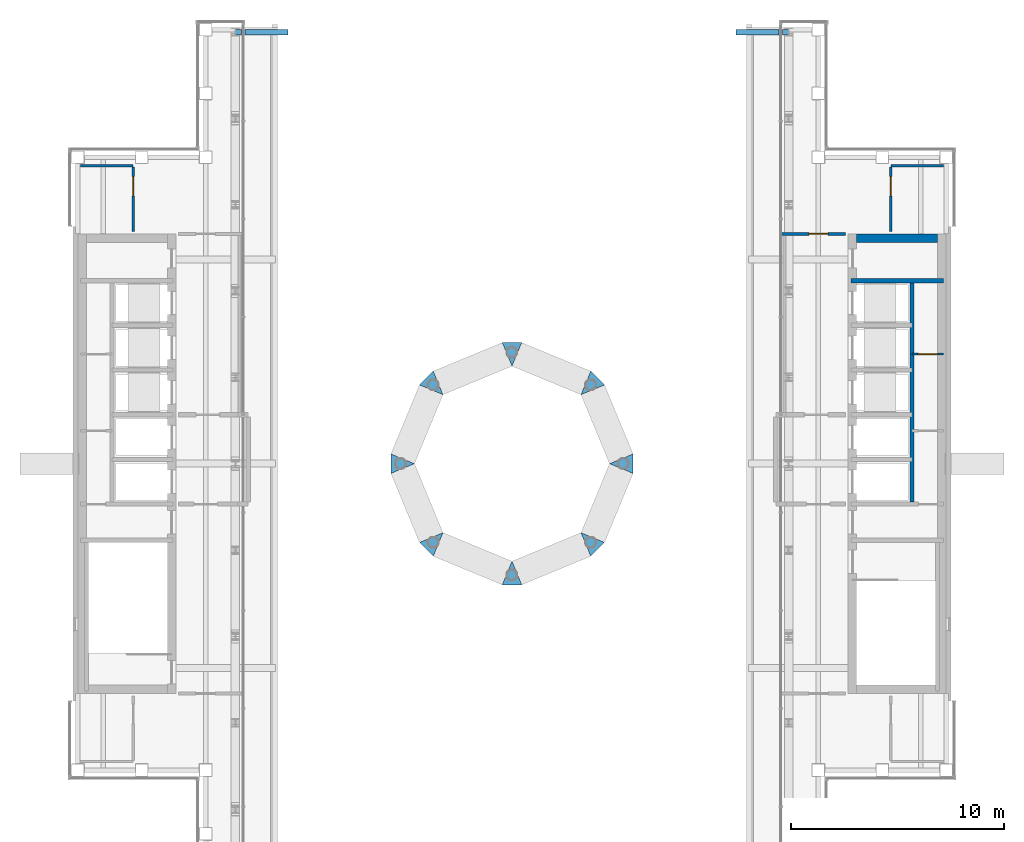
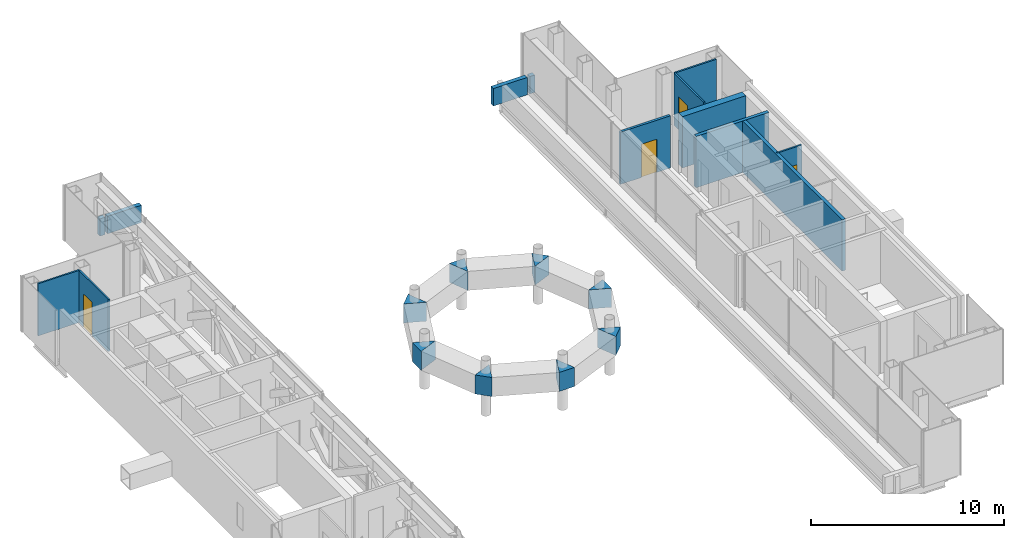
# One storey, part 14 of 16: 13 walls, 8 discrete accessories, 4 doors, 4 openings.
"""IFC4 building model written with IfcOpenShell, lengths in metres."""

import ifcopenshell
import ifcopenshell.guid

model = None  # the IFC model being written
_history = None  # IfcOwnerHistory: only IFC2X3 demands one
_inside = {}  # id of a spatial element -> (the spatial element, [elements in it])
_under = {}  # id of a project, library or spatial element -> (it, [spatial elements below it])
_declared = {}  # id of a project -> (the project, [libraries it declares])
_typed = {}  # id of a type object -> (the type object, [elements of that type])
_made_of = {}  # id of a material, layer set ... -> (it, [elements and type objects made of it])


def new_model(schema):
    """Start an empty IFC model of exactly this schema.

    Asked for "IFC4X3", IfcOpenShell would pick the latest addendum, in which some entities
    have other attributes; the version numbers below select the first issue.
    IFC2X3 requires an IfcOwnerHistory on every rooted entity: one is made here for all.
    """
    global model, _history
    if schema == "IFC4X3":
        model = ifcopenshell.file(schema_version=(4, 3, 0, 0))
    else:
        model = ifcopenshell.file(schema=schema)
    _inside.clear()
    _under.clear()
    _declared.clear()
    _typed.clear()
    _made_of.clear()
    _history = None
    if model.schema == "IFC2X3":
        org = make("IfcOrganization", Name="unknown")
        user = make(
            "IfcPersonAndOrganization",
            ThePerson=make("IfcPerson", FamilyName="unknown"),
            TheOrganization=org,
        )
        app = make(
            "IfcApplication",
            ApplicationDeveloper=org,
            Version="unknown",
            ApplicationFullName="unknown",
            ApplicationIdentifier="unknown",
        )
        _history = make(
            "IfcOwnerHistory",
            OwningUser=user,
            OwningApplication=app,
            ChangeAction="ADDED",
            CreationDate=0,
        )
    return model


def make(cls, **values):
    """One entity of the class cls with the attributes given. An attribute that is None is left unset."""
    return model.create_entity(
        cls, **{name: value for name, value in values.items() if value is not None}
    )


def rooted(cls, **values):
    """An entity with a GlobalId (a new one), such as an element, a storey or a relation."""
    return make(cls, GlobalId=ifcopenshell.guid.new(), OwnerHistory=_history, **values)


def si_unit(unit_type, name, prefix=None):
    """IfcSIUnit, for example si_unit("LENGTHUNIT", "METRE", prefix="MILLI")."""
    return make("IfcSIUnit", UnitType=unit_type, Prefix=prefix, Name=name)


def assignment(units):
    """IfcUnitAssignment: the units of a project."""
    return None if units is None else make("IfcUnitAssignment", Units=units)


def point(xyz):
    """IfcCartesianPoint."""
    return None if xyz is None else make("IfcCartesianPoint", Coordinates=xyz)


def direction(xyz):
    """IfcDirection."""
    return None if xyz is None else make("IfcDirection", DirectionRatios=xyz)


def frame(location, z_axis=None, x_axis=None):
    """IfcAxis2Placement3D, a coordinate frame: its origin and axes. An axis left out is left unset."""
    return make(
        "IfcAxis2Placement3D",
        Location=point(location),
        Axis=direction(z_axis),
        RefDirection=direction(x_axis),
    )


def frame_2d(location, x_axis=None):
    """IfcAxis2Placement2D, a coordinate frame in the plane: its origin and x axis."""
    return make(
        "IfcAxis2Placement2D", Location=point(location), RefDirection=direction(x_axis)
    )


def origin():
    """The frame at (0, 0, 0) with its axes left unset."""
    return frame((0.0, 0.0, 0.0))


def place(relative_to, where):
    """IfcLocalPlacement: puts the frame where relative to a parent placement (None: the world)."""
    return make(
        "IfcLocalPlacement", PlacementRelTo=relative_to, RelativePlacement=where
    )


def context(
    kind, dimensions, precision=None, world=None, true_north=None, identifier=None
):
    """IfcGeometricRepresentationContext, for example the 3D "Model" context."""
    return make(
        "IfcGeometricRepresentationContext",
        ContextIdentifier=identifier,
        ContextType=kind,
        CoordinateSpaceDimension=dimensions,
        Precision=precision,
        WorldCoordinateSystem=world,
        TrueNorth=true_north,
    )


def subcontext(parent, identifier, kind, view, scale=None):
    """IfcGeometricRepresentationSubContext, for example "Body" below "Model"."""
    return make(
        "IfcGeometricRepresentationSubContext",
        ContextIdentifier=identifier,
        ContextType=kind,
        ParentContext=parent,
        TargetScale=scale,
        TargetView=view,
    )


def project(units=None, contexts=None):
    """IfcProject with its units and contexts."""
    return rooted(
        "IfcProject",
        Name="project",
        RepresentationContexts=contexts,
        UnitsInContext=assignment(units),
    )


def spatial(cls, under=None, at=None, **own):
    """A site, building, storey or space (cls), placed at a placement, below another one or the project."""
    s = rooted(cls, ObjectPlacement=at, **own)
    if under is not None:
        _under.setdefault(under.id(), (under, []))[1].append(s)
    return s


def polyline(points):
    """IfcPolyline through the points."""
    return make("IfcPolyline", Points=[point(p) for p in points])


def profile(cls, at=None, kind="AREA", **sizes):
    """A parametric profile (cls). Its sizes go by their IFC names, for example OverallWidth=200.0."""
    return make(cls, ProfileType=kind, Position=at, **sizes)


def rectangle(**sizes):
    """IfcRectangleProfileDef."""
    return profile("IfcRectangleProfileDef", **sizes)


def outline(outer, holes=None, kind="AREA"):
    """IfcArbitraryClosedProfileDef: a profile drawn as a closed curve; with holes, ...WithVoids."""
    if holes is None:
        return make("IfcArbitraryClosedProfileDef", ProfileType=kind, OuterCurve=outer)
    return make(
        "IfcArbitraryProfileDefWithVoids",
        ProfileType=kind,
        OuterCurve=outer,
        InnerCurves=holes,
    )


def extrude(swept, where, along, depth):
    """IfcExtrudedAreaSolid: the profile swept, set in the frame where, extruded along a direction by depth."""
    return make(
        "IfcExtrudedAreaSolid",
        SweptArea=swept,
        Position=where,
        ExtrudedDirection=direction(along),
        Depth=depth,
    )


def shape(context_of_items, identifier, shape_type, items):
    """IfcShapeRepresentation: the items that make up one representation, for example the "Body"."""
    return make(
        "IfcShapeRepresentation",
        ContextOfItems=context_of_items,
        RepresentationIdentifier=identifier,
        RepresentationType=shape_type,
        Items=items,
    )


def material(Name=None, Category=None):
    """IfcMaterial."""
    return make("IfcMaterial", Name=Name, Category=Category)


def layer(
    of_material, thickness, ventilated=None, Name=None, Category=None, Priority=None
):
    """IfcMaterialLayer: one layer of a wall or slab, of a material (None: an air gap)."""
    return make(
        "IfcMaterialLayer",
        Material=of_material,
        LayerThickness=thickness,
        IsVentilated=ventilated,
        Name=Name,
        Category=Category,
        Priority=Priority,
    )


def layer_set(layers, Name=None):
    """IfcMaterialLayerSet."""
    return make("IfcMaterialLayerSet", MaterialLayers=layers, LayerSetName=Name)


def made_of(thing, what):
    """Note that an element or type object is made of a material, layer set ...; save() writes the relation."""
    if what is not None:
        _made_of.setdefault(what.id(), (what, []))[1].append(thing)
    return thing


def type_object(cls, material=None, **own):
    """A type object (cls), such as IfcWallType, which elements share."""
    return made_of(rooted(cls, **own), material)


def element(
    cls,
    number,
    at=None,
    inside=None,
    cuts=None,
    type_object=None,
    material=None,
    context=None,
    identifier="Body",
    shape_type=None,
    held_by="IfcProductDefinitionShape",
    body=None,
    shapes=None,
    **own,
):
    """One element of the class cls, such as IfcWall. Its Tag is "e" and its number.

    at: its placement. inside: the storey or other place that contains it. cuts: it is an
    opening in that element (IfcRelVoidsElement). A single representation is given by context,
    identifier, shape_type and body (its items); several are given by shapes. held_by: the class
    of the entity that holds the representations. save() writes the other relations.
    """
    e = rooted(cls, Tag="e%d" % number, ObjectPlacement=at, **own)
    if body is not None:
        shapes = [shape(context, identifier, shape_type, body)]
    if shapes is not None:
        e.Representation = make(held_by, Representations=shapes)
    if inside is not None:
        _inside.setdefault(inside.id(), (inside, []))[1].append(e)
    if cuts is not None:
        rooted(
            "IfcRelVoidsElement", RelatingBuildingElement=cuts, RelatedOpeningElement=e
        )
    if type_object is not None:
        _typed.setdefault(type_object.id(), (type_object, []))[1].append(e)
    return made_of(e, material)


def fill(opening, filler):
    """IfcRelFillsElement: the door or window that sits in an opening."""
    return rooted(
        "IfcRelFillsElement",
        RelatingOpeningElement=opening,
        RelatedBuildingElement=filler,
    )


def aggregate(whole, parts):
    """IfcRelAggregates: a whole, such as a stair, and the parts it consists of."""
    return rooted("IfcRelAggregates", RelatingObject=whole, RelatedObjects=parts)


def save(model, path):
    """Write the relations noted so far, then the file.

    IfcRelAggregates (storeys below a building ...), IfcRelContainedInSpatialStructure (elements
    in a storey), IfcRelDefinesByType, IfcRelAssociatesMaterial and IfcRelDeclares: one each for
    every whole, place, type object, material and project.
    """
    for whole, parts in _under.values():
        aggregate(whole, parts)
    for where, things in _inside.values():
        rooted(
            "IfcRelContainedInSpatialStructure",
            RelatedElements=things,
            RelatingStructure=where,
        )
    for kind, things in _typed.values():
        rooted("IfcRelDefinesByType", RelatedObjects=things, RelatingType=kind)
    for what, things in _made_of.values():
        rooted("IfcRelAssociatesMaterial", RelatedObjects=things, RelatingMaterial=what)
    for by, libraries in _declared.values():
        rooted("IfcRelDeclares", RelatingContext=by, RelatedDefinitions=libraries)
    model.write(path)


model = new_model("IFC4")

# Units and contexts
model_context = context("Model", 3, precision=1e-05, world=origin(), true_north=direction((0.0, 1.0)))
body_context = subcontext(model_context, "Body", "Model", "MODEL_VIEW")
ifc_project = project(units=[si_unit("LENGTHUNIT", "METRE"), si_unit("AREAUNIT", "SQUARE_METRE"), si_unit("VOLUMEUNIT", "CUBIC_METRE"), si_unit("PLANEANGLEUNIT", "RADIAN"), si_unit("MASSUNIT", "GRAM", prefix="KILO")], contexts=[model_context])

# Site, building, storey
site_placement = place(None, origin())
site = spatial("IfcSite", under=ifc_project, at=site_placement, CompositionType="ELEMENT")
building_placement = place(site_placement, origin())
building = spatial("IfcBuilding", under=site, at=building_placement, Name="Cobrizo Arcos Hotel Tower", CompositionType="ELEMENT")
storey_placement = place(building_placement, frame((0.0, 0.0, 286.5)))
storey = spatial("IfcBuildingStorey", under=building, at=storey_placement, Name="L76", CompositionType="ELEMENT", Elevation=286.5)

# Wall, opening, door
ifc_material_1 = material(Name="Gypsum board partition")
ifc_layer_1 = layer(ifc_material_1, 0.14990234375)
ifc_layer_set_1 = layer_set([ifc_layer_1], Name="Corridor wall EI 60 150")
wall_type_1 = type_object("IfcWallType", Name="Corridor wall EI 60 150", PredefinedType="PARTITIONING", material=ifc_layer_set_1)
wall_1_placement = place(storey_placement, frame((12.669921875, 10.800048828125, 0.0), z_axis=(0.0, 0.0, 1.0), x_axis=(1.0, 0.0, 0.0)))
wall_1 = element("IfcWall", 1, at=wall_1_placement, inside=storey, type_object=wall_type_1, Name="Partition 032", PredefinedType="PARTITIONING", context=body_context, shape_type="SweptSolid", body=[
    extrude(rectangle(XDim=3.010009765625, YDim=0.14990234375, at=frame_2d((1.5048828125, 0.0))), origin(), (0.0, 0.0, 1.0), 3.300048828125),
])
opening_1_placement = place(wall_1_placement, frame((1.280029296875, 0.0, 0.0)))
opening_1 = element("IfcOpeningElement", 2, at=opening_1_placement, cuts=wall_1, Name="Opening RD-08", PredefinedType="OPENING", context=body_context, shape_type="SweptSolid", body=[
    extrude(rectangle(XDim=0.89990234375, YDim=2.10009765625, at=frame_2d((0.449951171875, 1.050048828125))), frame((0.0, 0.0869140625, 0.0), z_axis=(0.0, -1.0, 0.0), x_axis=(1.0, 0.0, 0.0)), (0.0, 0.0, 1.0), 0.173828125),
])
ifc_material_2 = material(Name="Timber door leaf", Category="wood")
door_type_1 = type_object("IfcDoorType", Name="Room door FD30 900x2100", OperationType="SINGLE_SWING_LEFT", PredefinedType="DOOR", material=ifc_material_2)
door_1_placement = place(opening_1_placement, origin())
door_1 = element("IfcDoor", 3, at=door_1_placement, inside=storey, type_object=door_type_1, Name="Door RD-08", OperationType="SINGLE_SWING_RIGHT", OverallHeight=2.10009765625, OverallWidth=0.89990234375, PredefinedType="DOOR", context=body_context, shape_type="SweptSolid", body=[
    extrude(rectangle(XDim=0.89990234375, YDim=2.10009765625, at=frame_2d((0.449951171875, 1.050048828125))), frame((0.0, 0.02490234375, 0.0), z_axis=(0.0, -1.0, 0.0), x_axis=(1.0, 0.0, 0.0)), (0.0, 0.0, 1.0), 0.050048828125),
])
fill(opening_1, door_1)

# Walls
ifc_material_3 = material(Name="Aluminium composite panel pale metal", Category="aluminium")
ifc_layer_2 = layer(ifc_material_3, 0.25)
ifc_layer_set_2 = layer_set([ifc_layer_2], Name="PW-1 parapet wall")
wall_type_2 = type_object("IfcWallType", Name="PW-1 parapet wall", PredefinedType="PARAPET", material=ifc_layer_set_2)
wall_2_placement = place(storey_placement, frame((13.0, 20.27490234375, 0.0), z_axis=(0.0, 0.0, 1.0), x_axis=(-1.0, 0.0, 0.0)))
element("IfcWall", 4, at=wall_2_placement, inside=storey, type_object=wall_type_2, Name="Parapet L75 N", PredefinedType="PARAPET", context=body_context, shape_type="SweptSolid", body=[
    extrude(rectangle(XDim=0.300048828125, YDim=0.25, at=frame_2d((0.14990234375, 0.0))), origin(), (0.0, 0.0, 1.0), 1.10009765625),
])
for number, where, z_axis, x_axis, name in (
    (5, (12.550048828125, 20.27490234375, 0.0), (0.0, 0.0, 1.0), (-1.0, 0.0, 0.0), "Parapet L75 N"),
    (6, (-10.52587890625, 20.27490234375, 0.0), (0.0, 0.0, 1.0), (-1.0, 0.0, 0.0), "Parapet L75 N"),
):
    element("IfcWall", number, at=place(storey_placement, frame(where, z_axis=z_axis, x_axis=x_axis)), inside=storey, type_object=wall_type_2, Name=name, PredefinedType="PARAPET", context=body_context, shape_type="SweptSolid", body=[
        extrude(rectangle(XDim=2.024169921875, YDim=0.25, at=frame_2d((1.01220703125, 0.0))), origin(), (0.0, 0.0, 1.0), 1.10009765625),
    ])
wall_3_placement = place(storey_placement, frame((-12.699951171875, 20.27490234375, 0.0), z_axis=(0.0, 0.0, 1.0), x_axis=(-1.0, 0.0, 0.0)))
element("IfcWall", 7, at=wall_3_placement, inside=storey, type_object=wall_type_2, Name="Parapet L75 N", PredefinedType="PARAPET", context=body_context, shape_type="SweptSolid", body=[
    extrude(rectangle(XDim=0.300048828125, YDim=0.25, at=frame_2d((0.14990234375, 0.0))), origin(), (0.0, 0.0, 1.0), 1.10009765625),
])

# Wall, opening, door
ifc_layer_3 = layer(ifc_material_1, 0.10009765625)
ifc_layer_set_3 = layer_set([ifc_layer_3], Name="Partition EI 30 100")
wall_type_3 = type_object("IfcWallType", Name="Partition EI 30 100", PredefinedType="PARTITIONING", material=ifc_layer_set_3)
wall_4_placement = place(storey_placement, frame((18.800048828125, 5.14990234375, 0.0), z_axis=(0.0, 0.0, 1.0), x_axis=(1.0, 0.0, 0.0)))
wall_4 = element("IfcWall", 8, at=wall_4_placement, inside=storey, type_object=wall_type_3, Name="Partition 026", PredefinedType="PARTITIONING", context=body_context, shape_type="SweptSolid", body=[
    extrude(rectangle(XDim=1.47998046875, YDim=0.10009765625, at=frame_2d((0.739990234375, 0.0))), origin(), (0.0, 0.0, 1.0), 3.25),
])
opening_2_placement = place(wall_4_placement, frame((0.300048828125, 0.0, 0.0)))
opening_2 = element("IfcOpeningElement", 9, at=opening_2_placement, cuts=wall_4, Name="Opening RD-06", PredefinedType="OPENING", context=body_context, shape_type="SweptSolid", body=[
    extrude(rectangle(XDim=0.89990234375, YDim=2.10009765625, at=frame_2d((0.449951171875, 1.050048828125))), frame((0.0, 0.06201171875, 0.0), z_axis=(0.0, -1.0, 0.0), x_axis=(1.0, 0.0, 0.0)), (0.0, 0.0, 1.0), 0.1240234375),
])
door_2_placement = place(opening_2_placement, origin())
door_2 = element("IfcDoor", 10, at=door_2_placement, inside=storey, type_object=door_type_1, Name="Door RD-06", OperationType="SINGLE_SWING_RIGHT", OverallHeight=2.10009765625, OverallWidth=0.89990234375, PredefinedType="DOOR", context=body_context, shape_type="SweptSolid", body=[
    extrude(rectangle(XDim=0.89990234375, YDim=2.10009765625, at=frame_2d((0.449951171875, 1.050048828125))), frame((0.0, 0.02490234375, 0.0), z_axis=(0.0, -1.0, 0.0), x_axis=(1.0, 0.0, 0.0)), (0.0, 0.0, 1.0), 0.050048828125),
])
fill(opening_2, door_2)

# Walls
for number, where, z_axis, x_axis, name in (
    (11, (-20.280029296875, 14.0, 0.0), (0.0, 0.0, 1.0), (1.0, 0.0, 0.0), "Partition 033"),
    (12, (17.800048828125, 14.0, 0.0), (0.0, 0.0, 1.0), (1.0, 0.0, 0.0), "Partition 034"),
):
    element("IfcWall", number, at=place(storey_placement, frame(where, z_axis=z_axis, x_axis=x_axis)), inside=storey, type_object=wall_type_3, Name=name, PredefinedType="PARTITIONING", context=body_context, shape_type="SweptSolid", body=[
        extrude(rectangle(XDim=2.47998046875, YDim=0.10009765625, at=frame_2d((1.239990234375, 0.0))), origin(), (0.0, 0.0, 1.0), 3.300048828125),
    ])

# Wall, opening, door
wall_5_placement = place(storey_placement, frame((-17.800048828125, 10.919921875, 0.0), z_axis=(0.0, 0.0, 1.0), x_axis=(0.0, 1.0, 0.0)))
wall_5 = element("IfcWall", 13, at=wall_5_placement, inside=storey, type_object=wall_type_3, Name="Partition 038", PredefinedType="PARTITIONING", context=body_context, shape_type="SweptSolid", body=[
    extrude(rectangle(XDim=3.030029296875, YDim=0.10009765625, at=frame_2d((1.51513671875, 0.0))), origin(), (0.0, 0.0, 1.0), 3.300048828125),
])
opening_3_placement = place(wall_5_placement, frame((1.669921875, 0.0, 0.0)))
opening_3 = element("IfcOpeningElement", 14, at=opening_3_placement, cuts=wall_5, Name="Opening ED-06", PredefinedType="OPENING", context=body_context, shape_type="SweptSolid", body=[
    extrude(rectangle(XDim=0.89990234375, YDim=2.10009765625, at=frame_2d((0.449951171875, 1.050048828125))), frame((0.0, 0.06201171875, 0.0), z_axis=(0.0, -1.0, 0.0), x_axis=(1.0, 0.0, 0.0)), (0.0, 0.0, 1.0), 0.1240234375),
])
door_type_2 = type_object("IfcDoorType", Name="En-suite door 900x2100", OperationType="SINGLE_SWING_LEFT", PredefinedType="DOOR", material=ifc_material_2)
door_3_placement = place(opening_3_placement, origin())
door_3 = element("IfcDoor", 15, at=door_3_placement, inside=storey, type_object=door_type_2, Name="Door ED-06", OperationType="SINGLE_SWING_LEFT", OverallHeight=2.10009765625, OverallWidth=0.89990234375, PredefinedType="DOOR", context=body_context, shape_type="SweptSolid", body=[
    extrude(rectangle(XDim=0.89990234375, YDim=2.10009765625, at=frame_2d((0.449951171875, 1.050048828125))), frame((0.0, 0.02490234375, 0.0), z_axis=(0.0, -1.0, 0.0), x_axis=(1.0, 0.0, 0.0)), (0.0, 0.0, 1.0), 0.050048828125),
])
fill(opening_3, door_3)

wall_6_placement = place(storey_placement, frame((17.800048828125, 10.919921875, 0.0), z_axis=(0.0, 0.0, 1.0), x_axis=(0.0, 1.0, 0.0)))
wall_6 = element("IfcWall", 16, at=wall_6_placement, inside=storey, type_object=wall_type_3, Name="Partition 044", PredefinedType="PARTITIONING", context=body_context, shape_type="SweptSolid", body=[
    extrude(rectangle(XDim=3.030029296875, YDim=0.10009765625, at=frame_2d((1.51513671875, 0.0))), origin(), (0.0, 0.0, 1.0), 3.300048828125),
])
opening_4_placement = place(wall_6_placement, frame((1.669921875, 0.0, 0.0)))
opening_4 = element("IfcOpeningElement", 17, at=opening_4_placement, cuts=wall_6, Name="Opening ED-04", PredefinedType="OPENING", context=body_context, shape_type="SweptSolid", body=[
    extrude(rectangle(XDim=0.89990234375, YDim=2.10009765625, at=frame_2d((0.449951171875, 1.050048828125))), frame((0.0, 0.06201171875, 0.0), z_axis=(0.0, -1.0, 0.0), x_axis=(1.0, 0.0, 0.0)), (0.0, 0.0, 1.0), 0.1240234375),
])
door_4_placement = place(opening_4_placement, origin())
door_4 = element("IfcDoor", 18, at=door_4_placement, inside=storey, type_object=door_type_2, Name="Door ED-04", OperationType="SINGLE_SWING_RIGHT", OverallHeight=2.10009765625, OverallWidth=0.89990234375, PredefinedType="DOOR", context=body_context, shape_type="SweptSolid", body=[
    extrude(rectangle(XDim=0.89990234375, YDim=2.10009765625, at=frame_2d((0.449951171875, 1.050048828125))), frame((0.0, 0.02490234375, 0.0), z_axis=(0.0, -1.0, 0.0), x_axis=(1.0, 0.0, 0.0)), (0.0, 0.0, 1.0), 0.050048828125),
])
fill(opening_4, door_4)

# Walls
ifc_material_4 = material(Name="Concrete f'c 40 MPa", Category="concrete")
ifc_layer_4 = layer(ifc_material_4, 0.39990234375)
ifc_layer_set_4 = layer_set([ifc_layer_4], Name="RC core wall 400 f'c 40")
wall_type_4 = type_object("IfcWallType", Name="RC core wall 400 f'c 40", PredefinedType="SHEAR", material=ifc_layer_set_4)
wall_7_placement = place(storey_placement, frame((16.199951171875, 10.60009765625, 0.0), z_axis=(0.0, 0.0, 1.0), x_axis=(1.0, 0.0, 0.0)))
element("IfcWall", 19, at=wall_7_placement, inside=storey, type_object=wall_type_4, Name="Core wall CW4, east core, north end, L76", PredefinedType="SHEAR", context=body_context, shape_type="SweptSolid", body=[
    extrude(rectangle(XDim=3.800048828125, YDim=0.39990234375, at=frame_2d((1.89990234375, 0.0))), origin(), (0.0, 0.0, 1.0), 3.25),
])
ifc_layer_5 = layer(ifc_material_1, 0.199951171875)
ifc_layer_set_5 = layer_set([ifc_layer_5], Name="Shaft wall EI 120 200")
wall_type_5 = type_object("IfcWallType", Name="Shaft wall EI 120 200", PredefinedType="PARTITIONING", material=ifc_layer_set_5)
wall_8_placement = place(storey_placement, frame((15.919921875, 8.60009765625, 0.0), z_axis=(0.0, 0.0, 1.0), x_axis=(1.0, 0.0, 0.0)))
element("IfcWall", 20, at=wall_8_placement, inside=storey, type_object=wall_type_5, Name="Partition 030", PredefinedType="PARTITIONING", context=body_context, shape_type="SweptSolid", body=[
    extrude(rectangle(XDim=4.360107421875, YDim=0.199951171875, at=frame_2d((2.18017578125, 0.0))), origin(), (0.0, 0.0, 1.0), 3.25),
])
wall_9_placement = place(storey_placement, frame((18.800048828125, -1.800048828125, 0.0), z_axis=(0.0, 0.0, 1.0), x_axis=(0.0, 1.0, 0.0)))
element("IfcWall", 21, at=wall_9_placement, inside=storey, type_object=wall_type_5, Name="Partition 045", PredefinedType="PARTITIONING", context=body_context, shape_type="SweptSolid", body=[
    extrude(rectangle(XDim=10.300048828125, YDim=0.199951171875, at=frame_2d((5.14990234375, 0.0))), origin(), (0.0, 0.0, 1.0), 3.25),
])

# Discrete accessories
ifc_material_5 = material(Name="Steel ASTM A572 Grade 50", Category="steel")
discrete_accessory_type = type_object("IfcDiscreteAccessoryType", Name="DN-1 drum corner node", PredefinedType="BRACKET", material=ifc_material_5)
discrete_accessory_1_placement = place(storey_placement, frame((0.0, 0.0, 1.466796875)))
element("IfcDiscreteAccessory", 22, at=discrete_accessory_1_placement, inside=storey, type_object=discrete_accessory_type, Name="Drum corner node", PredefinedType="BRACKET", context=body_context, shape_type="SweptSolid", body=[
    extrude(outline(polyline([(5.69189453125, -0.459228515625), (4.583251953125, 0.0), (4.583251953125, 0.0), (5.69189453125, 0.459228515625), (5.69189453125, -0.459228515625)])), origin(), (0.0, 0.0, 1.0), 1.199951171875),
])
discrete_accessory_2_placement = place(storey_placement, frame((0.0, 0.0, 1.466796875)))
element("IfcDiscreteAccessory", 23, at=discrete_accessory_2_placement, inside=storey, type_object=discrete_accessory_type, Name="Drum corner node", PredefinedType="BRACKET", context=body_context, shape_type="SweptSolid", body=[
    extrude(outline(polyline([(3.24072265625, 3.24072265625), (3.24072265625, 3.24072265625), (3.699951171875, 4.349365234375), (4.349365234375, 3.699951171875), (3.24072265625, 3.24072265625)])), origin(), (0.0, 0.0, 1.0), 1.199951171875),
])
discrete_accessory_3_placement = place(storey_placement, frame((0.0, 0.0, 1.466796875)))
element("IfcDiscreteAccessory", 24, at=discrete_accessory_3_placement, inside=storey, type_object=discrete_accessory_type, Name="Drum corner node", PredefinedType="BRACKET", context=body_context, shape_type="SweptSolid", body=[
    extrude(outline(polyline([(0.0, 4.583251953125), (-0.459228515625, 5.69189453125), (0.459228515625, 5.69189453125), (0.0, 4.583251953125), (0.0, 4.583251953125)])), origin(), (0.0, 0.0, 1.0), 1.199951171875),
])
discrete_accessory_4_placement = place(storey_placement, frame((0.0, 0.0, 1.466796875)))
element("IfcDiscreteAccessory", 25, at=discrete_accessory_4_placement, inside=storey, type_object=discrete_accessory_type, Name="Drum corner node", PredefinedType="BRACKET", context=body_context, shape_type="SweptSolid", body=[
    extrude(outline(polyline([(-3.24072265625, 3.24072265625), (-4.349365234375, 3.699951171875), (-3.699951171875, 4.349365234375), (-3.24072265625, 3.24072265625), (-3.24072265625, 3.24072265625)])), origin(), (0.0, 0.0, 1.0), 1.199951171875),
])
discrete_accessory_5_placement = place(storey_placement, frame((0.0, 0.0, 1.466796875)))
element("IfcDiscreteAccessory", 26, at=discrete_accessory_5_placement, inside=storey, type_object=discrete_accessory_type, Name="Drum corner node", PredefinedType="BRACKET", context=body_context, shape_type="SweptSolid", body=[
    extrude(outline(polyline([(-5.69189453125, -0.459228515625), (-5.69189453125, 0.459228515625), (-4.583251953125, 0.0), (-4.583251953125, 0.0), (-5.69189453125, -0.459228515625)])), origin(), (0.0, 0.0, 1.0), 1.199951171875),
])
discrete_accessory_6_placement = place(storey_placement, frame((0.0, 0.0, 1.466796875)))
element("IfcDiscreteAccessory", 27, at=discrete_accessory_6_placement, inside=storey, type_object=discrete_accessory_type, Name="Drum corner node", PredefinedType="BRACKET", context=body_context, shape_type="SweptSolid", body=[
    extrude(outline(polyline([(-3.699951171875, -4.349365234375), (-4.349365234375, -3.699951171875), (-3.24072265625, -3.24072265625), (-3.24072265625, -3.24072265625), (-3.699951171875, -4.349365234375)])), origin(), (0.0, 0.0, 1.0), 1.199951171875),
])
discrete_accessory_7_placement = place(storey_placement, frame((0.0, 0.0, 1.466796875)))
element("IfcDiscreteAccessory", 28, at=discrete_accessory_7_placement, inside=storey, type_object=discrete_accessory_type, Name="Drum corner node", PredefinedType="BRACKET", context=body_context, shape_type="SweptSolid", body=[
    extrude(outline(polyline([(-0.459228515625, -5.69189453125), (0.0, -4.583251953125), (0.0, -4.583251953125), (0.459228515625, -5.69189453125), (-0.459228515625, -5.69189453125)])), origin(), (0.0, 0.0, 1.0), 1.199951171875),
])
discrete_accessory_8_placement = place(storey_placement, frame((0.0, 0.0, 1.466796875)))
element("IfcDiscreteAccessory", 29, at=discrete_accessory_8_placement, inside=storey, type_object=discrete_accessory_type, Name="Drum corner node", PredefinedType="BRACKET", context=body_context, shape_type="SweptSolid", body=[
    extrude(outline(polyline([(3.699951171875, -4.349365234375), (3.24072265625, -3.24072265625), (3.24072265625, -3.24072265625), (4.349365234375, -3.699951171875), (3.699951171875, -4.349365234375)])), origin(), (0.0, 0.0, 1.0), 1.199951171875),
])

save(model, "model.ifc")
